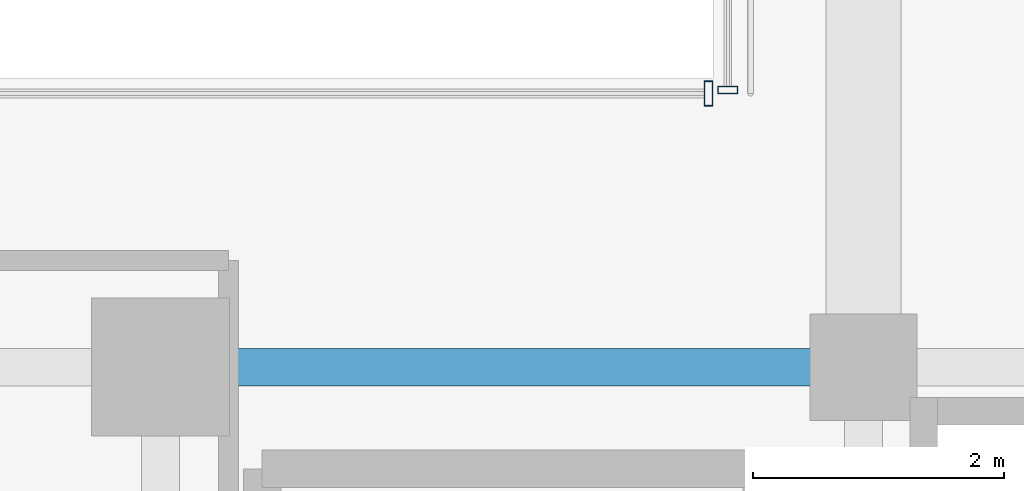
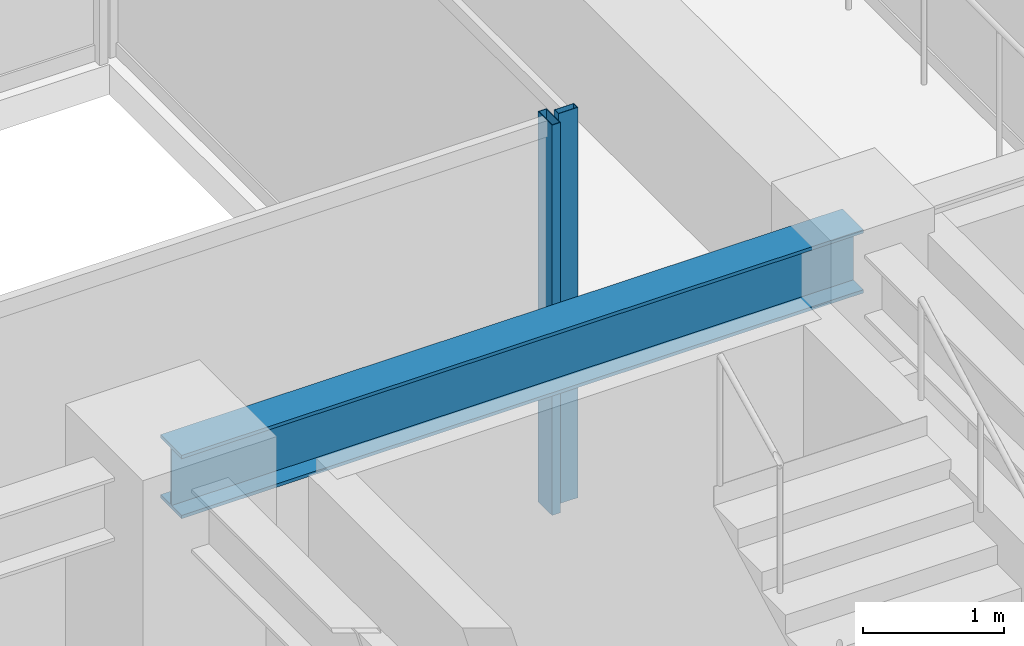
# One storey, part 9 of 38: 2 members, 1 beam, 2 elements without a shape of their own.
"""IFC4 building model written with IfcOpenShell, lengths in metres."""

from ifc_helpers import new_model, si_unit, direction, frame, origin, origin_2d, place, context, subcontext, project, spatial, hollow_rectangle, i_section, extrude, source, transform, mapped, material, material_profile, profile_set, type_object, element, aggregate, save


model = new_model("IFC4")

# Units and contexts
model_context = context("Model", 3, precision=1e-05, world=origin(), true_north=direction((0.0, 1.0)))
body_context = subcontext(model_context, "Body", "Model", "MODEL_VIEW")
ifc_project = project(units=[si_unit("LENGTHUNIT", "METRE"), si_unit("AREAUNIT", "SQUARE_METRE"), si_unit("VOLUMEUNIT", "CUBIC_METRE"), si_unit("PLANEANGLEUNIT", "RADIAN"), si_unit("MASSUNIT", "GRAM", prefix="KILO")], contexts=[model_context])

# Site, building, storey
site_placement = place(None, origin())
site = spatial("IfcSite", under=ifc_project, at=site_placement, CompositionType="ELEMENT")
building_placement = place(site_placement, origin())
building = spatial("IfcBuilding", under=site, at=building_placement, Name="Nahalor Promenade Grand Hotel", CompositionType="ELEMENT")
storey_placement = place(building_placement, frame((0.0, 0.0, 163.60009765625)))
storey = spatial("IfcBuildingStorey", under=building, at=storey_placement, Name="L41", CompositionType="ELEMENT", Elevation=163.60009765625)

# Beam
ifc_material_1 = material(Name="Steel S355JR", Category="steel")
ifc_material_profile_1 = material_profile(ifc_material_1, i_section(OverallWidth=0.3, OverallDepth=0.55, WebThickness=0.015, FlangeThickness=0.029, at=origin_2d()), Name="HEB 550")
ifc_profile_set_1 = profile_set([ifc_material_profile_1], Name="Steel S355JR")
beam_type = type_object("IfcBeamType", Name="Beam-Girder-HEB550", PredefinedType="BEAM", material=ifc_profile_set_1)
shared_shape_1 = source(origin(), body_context, "Body", "SweptSolid", [
    extrude(i_section(OverallWidth=0.3, OverallDepth=0.55, WebThickness=0.015, FlangeThickness=0.029, at=origin_2d()), origin(), (0.0, 0.0, 1.0), 5.599853515625),
])
beam_placement = place(storey_placement, frame((2.800048828125, -5.39990234375, 3.114990234375), z_axis=(1.0, 0.0, 0.0), x_axis=(0.0, 1.0, 0.0)))
element("IfcBeam", 1, at=beam_placement, inside=storey, type_object=beam_type, Name="BM-L41-GX-1-4", PredefinedType="BEAM", context=body_context, shape_type="MappedRepresentation", body=[
    mapped(shared_shape_1, transform((0.0, 0.0, 0.0), scale=1.0)),
])

# Curtain wall, member
ifc_material_2 = material(Name="Anodised Bronze Aluminium EN AW-6063 T6", Category="aluminium")
curtain_wall_type_1 = type_object("IfcCurtainWallType", Name="CW3 Elliptical-Void Collar Unitised Curtain Wall", PredefinedType="USERDEFINED", material=ifc_material_2)
curtain_wall_1_placement = place(storey_placement, origin())
curtain_wall_1 = element("IfcCurtainWall", 2, at=curtain_wall_1_placement, inside=storey, type_object=curtain_wall_type_1, Name="L41 Curtain Wall CW-L41-VOID-WS1", ObjectType="UNITISED_CURTAIN_WALL", PredefinedType="USERDEFINED")
ifc_material_profile_2 = material_profile(ifc_material_2, hollow_rectangle(XDim=0.07, YDim=0.2, WallThickness=0.005, at=origin_2d()), Name="CWM 70x200x5")
ifc_profile_set_2 = profile_set([ifc_material_profile_2], Name="Anodised Bronze Aluminium EN AW-6063 T6")
member_type_1 = type_object("IfcMemberType", Name="CWM3 Void Collar Mullion 70x200", PredefinedType="MULLION", material=ifc_profile_set_2)
shared_shape_2 = source(origin(), body_context, "Body", "SweptSolid", [
    extrude(hollow_rectangle(XDim=0.07, YDim=0.2, WallThickness=0.005, at=origin_2d()), origin(), (0.0, 0.0, 1.0), 3.389892578125),
])
member_1_placement = place(storey_placement, frame((7.1650390625, -3.219970703125, 0.0), z_axis=(0.0, 0.0, 1.0), x_axis=(1.0, 0.0, 0.0)))
member_1 = element("IfcMember", 3, at=member_1_placement, type_object=member_type_1, Name="CW-L41-VOID-WS1 Mullion 3", PredefinedType="MULLION", context=body_context, shape_type="MappedRepresentation", body=[
    mapped(shared_shape_2, transform((0.0, 0.0, 0.0), scale=1.0)),
])
aggregate(curtain_wall_1, [member_1])

curtain_wall_type_2 = type_object("IfcCurtainWallType", Name="CW4 Low-Iron Sky-Gallery Bridge Curtain Wall", PredefinedType="USERDEFINED", material=ifc_material_2)
curtain_wall_2_placement = place(storey_placement, origin())
curtain_wall_2 = element("IfcCurtainWall", 4, at=curtain_wall_2_placement, inside=storey, type_object=curtain_wall_type_2, Name="L41 Curtain Wall CW-L41-BRG-W", ObjectType="UNITISED_CURTAIN_WALL", PredefinedType="USERDEFINED")
ifc_material_profile_3 = material_profile(ifc_material_2, hollow_rectangle(XDim=0.06, YDim=0.16, WallThickness=0.004, at=origin_2d()), Name="CWM 60x160x4")
ifc_profile_set_3 = profile_set([ifc_material_profile_3], Name="Anodised Bronze Aluminium EN AW-6063 T6")
member_type_2 = type_object("IfcMemberType", Name="CWM4 Sky-Gallery Slim Mullion 60x160", PredefinedType="MULLION", material=ifc_profile_set_3)
shared_shape_3 = source(origin(), body_context, "Body", "SweptSolid", [
    extrude(hollow_rectangle(XDim=0.06, YDim=0.16, WallThickness=0.004, at=origin_2d()), origin(), (0.0, 0.0, 1.0), 3.389892578125),
])
member_2_placement = place(storey_placement, frame((7.320068359375, -3.18994140625, 0.0), z_axis=(0.0, 0.0, 1.0), x_axis=(0.0, 1.0, 0.0)))
member_2 = element("IfcMember", 5, at=member_2_placement, type_object=member_type_2, Name="CW-L41-BRG-W Mullion 0", PredefinedType="MULLION", context=body_context, shape_type="MappedRepresentation", body=[
    mapped(shared_shape_3, transform((0.0, 0.0, 0.0), scale=1.0)),
])
aggregate(curtain_wall_2, [member_2])

save(model, "model.ifc")
